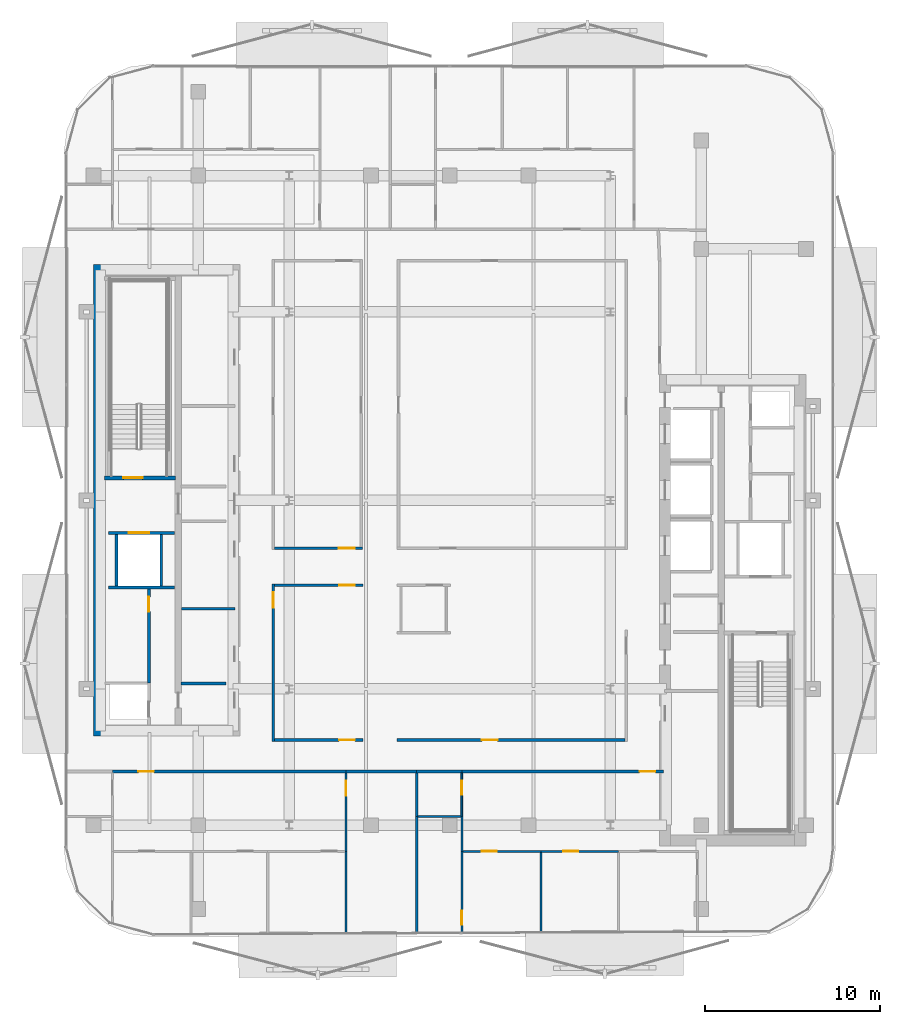
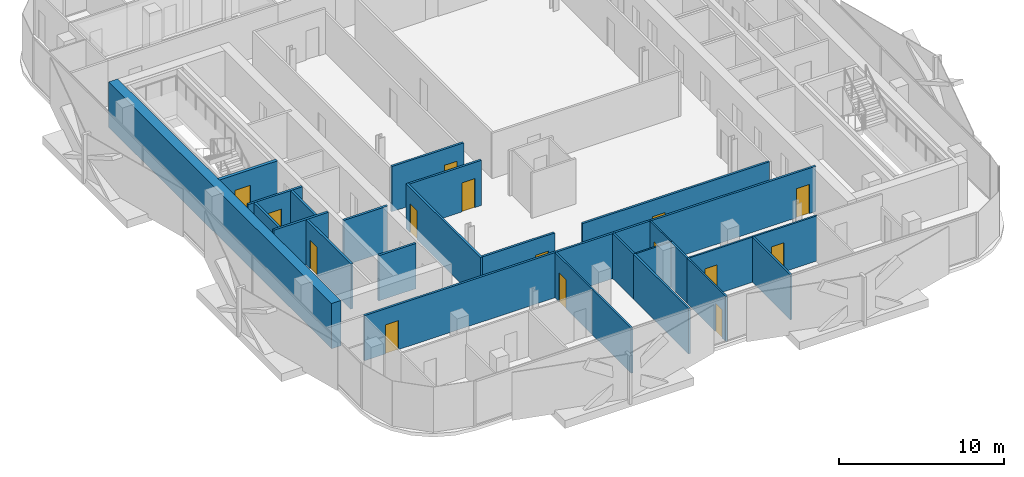
# One storey, part 3 of 15: 29 walls, 15 doors, 15 openings.
"""IFC4 building model written with IfcOpenShell, lengths in metres."""

from ifc_helpers import new_model, si_unit, direction, frame, frame_2d, origin, place, context, subcontext, project, spatial, rectangle, extrude, material, layer, layer_set, type_object, element, fill, save


model = new_model("IFC4")

# Units and contexts
model_context = context("Model", 3, precision=1e-05, world=origin(), true_north=direction((0.0, 1.0)))
body_context = subcontext(model_context, "Body", "Model", "MODEL_VIEW")
ifc_project = project(units=[si_unit("LENGTHUNIT", "METRE"), si_unit("AREAUNIT", "SQUARE_METRE"), si_unit("VOLUMEUNIT", "CUBIC_METRE"), si_unit("PLANEANGLEUNIT", "RADIAN"), si_unit("MASSUNIT", "GRAM", prefix="KILO")], contexts=[model_context])

# Site, building, storey
site_placement = place(None, origin())
site = spatial("IfcSite", under=ifc_project, at=site_placement, CompositionType="ELEMENT")
building_placement = place(site_placement, origin())
building = spatial("IfcBuilding", under=site, at=building_placement, Name="Khairoan Windgate Tower", CompositionType="ELEMENT")
storey_placement = place(building_placement, frame((0.0, 0.0, 226.0)))
storey = spatial("IfcBuildingStorey", under=building, at=storey_placement, Name="L52", CompositionType="ELEMENT", Elevation=226.0)

# Wall
ifc_material_1 = material(Name="Moisture-Resistant Gypsum Partition", Category="gypsum")
ifc_layer_1 = layer(ifc_material_1, 0.10009765625, Name="Moisture-Resistant Gypsum Partition")
ifc_layer_set_1 = layer_set([ifc_layer_1], Name="Moisture-Resistant Gypsum Partition")
wall_type_1 = type_object("IfcWallType", Name="Bathroom Wet-Area Partition Wall", PredefinedType="PARTITIONING", material=ifc_layer_set_1)
wall_1_placement = place(storey_placement, frame((-1.830078125, -18.10009765625, 0.0), z_axis=(0.0, 0.0, 1.0), x_axis=(1.0, 0.0, 0.0)))
element("IfcWall", 1, at=wall_1_placement, inside=storey, type_object=wall_type_1, Name="L52 Interior Partition 077", PredefinedType="PARTITIONING", context=body_context, shape_type="SweptSolid", body=[
    extrude(rectangle(XDim=2.469970703125, YDim=0.10009765625, at=frame_2d((1.23486328125, 0.0))), origin(), (0.0, 0.0, 1.0), 3.340087890625),
])

# Wall, opening, door
wall_2_placement = place(storey_placement, frame((0.68994140625, -18.10009765625, 0.0), z_axis=(0.0, 0.0, 1.0), x_axis=(0.0, 1.0, 0.0)))
wall_2 = element("IfcWall", 2, at=wall_2_placement, inside=storey, type_object=wall_type_1, Name="L52 Interior Partition 078", PredefinedType="PARTITIONING", context=body_context, shape_type="SweptSolid", body=[
    extrude(rectangle(XDim=2.5, YDim=0.10009765625, at=frame_2d((1.25, 0.0))), origin(), (0.0, 0.0, 1.0), 3.340087890625),
])
opening_1_placement = place(wall_2_placement, frame((1.239990234375, 0.0, 0.0)))
opening_1 = element("IfcOpeningElement", 3, at=opening_1_placement, cuts=wall_2, Name="Opening ID-BTH", PredefinedType="OPENING", context=body_context, shape_type="SweptSolid", body=[
    extrude(rectangle(XDim=0.800048828125, YDim=2.10009765625, at=frame_2d((0.39990234375, 1.050048828125))), frame((0.0, 0.06005859375, 0.0), z_axis=(0.0, -1.0, 0.0), x_axis=(1.0, 0.0, 0.0)), (0.0, 0.0, 1.0), 0.1201171875),
])
ifc_material_2 = material(Name="Teak Veneer Timber Leaf", Category="wood")
door_type_1 = type_object("IfcDoorType", Name="Internal Bathroom Door ID-BTH 800x2100", OperationType="NOTDEFINED", PredefinedType="DOOR", material=ifc_material_2)
door_1_placement = place(opening_1_placement, origin())
door_1 = element("IfcDoor", 4, at=door_1_placement, inside=storey, type_object=door_type_1, Name="L52 L52-54-L52-56 Door", OperationType="SINGLE_SWING_LEFT", OverallHeight=2.10009765625, OverallWidth=0.800048828125, PredefinedType="DOOR", context=body_context, shape_type="SweptSolid", body=[
    extrude(rectangle(XDim=0.800048828125, YDim=2.10009765625, at=frame_2d((0.39990234375, 1.050048828125))), frame((0.0, 0.02490234375, 0.0), z_axis=(0.0, -1.0, 0.0), x_axis=(1.0, 0.0, 0.0)), (0.0, 0.0, 1.0), 0.050048828125),
])
fill(opening_1, door_1)

ifc_material_3 = material(Name="Concrete C40/50", Category="concrete")
ifc_layer_2 = layer(ifc_material_3, 0.159912109375, Name="Concrete C40/50")
ifc_layer_set_2 = layer_set([ifc_layer_2], Name="Concrete C40/50")
wall_type_2 = type_object("IfcWallType", Name="Core and Hoistway Enclosure Wall", PredefinedType="STANDARD", material=ifc_layer_set_2)
wall_3_placement = place(storey_placement, frame((-19.550048828125, -1.860107421875, 0.0), z_axis=(0.0, 0.0, 1.0), x_axis=(1.0, 0.0, 0.0)))
wall_3 = element("IfcWall", 5, at=wall_3_placement, inside=storey, type_object=wall_type_2, Name="L52 Core Shaft Wall SW-FL2-L52", PredefinedType="STANDARD", context=body_context, shape_type="SweptSolid", body=[
    extrude(rectangle(XDim=3.800048828125, YDim=0.159912109375, at=frame_2d((1.89990234375, 0.0))), origin(), (0.0, 0.0, 1.0), 3.340087890625),
])
opening_2_placement = place(wall_3_placement, frame((1.179931640625, 0.0, 0.0)))
opening_2 = element("IfcOpeningElement", 6, at=opening_2_placement, cuts=wall_3, Name="Opening LD-FL", PredefinedType="OPENING", context=body_context, shape_type="SweptSolid", body=[
    extrude(rectangle(XDim=1.14990234375, YDim=2.199951171875, at=frame_2d((0.574951171875, 1.10009765625))), frame((0.0, 0.08984375, 0.0), z_axis=(0.0, -1.0, 0.0), x_axis=(1.0, 0.0, 0.0)), (0.0, 0.0, 1.0), 0.179931640625),
])
ifc_material_4 = material(Name="Steel S355", Category="steel")
door_type_2 = type_object("IfcDoorType", Name="Firefighting Lift Sliding Landing Door LD-FL 1150x2200", OperationType="DOUBLE_DOOR_SLIDING", PredefinedType="DOOR", material=ifc_material_4)
door_2_placement = place(opening_2_placement, origin())
door_2 = element("IfcDoor", 7, at=door_2_placement, inside=storey, type_object=door_type_2, Name="L52 Firefighting Lift FL2 Landing Door", OperationType="DOUBLE_DOOR_SLIDING", OverallHeight=2.199951171875, OverallWidth=1.14990234375, PredefinedType="DOOR", context=body_context, shape_type="SweptSolid", body=[
    extrude(rectangle(XDim=1.14990234375, YDim=2.199951171875, at=frame_2d((0.574951171875, 1.10009765625))), frame((0.0, 0.02490234375, 0.0), z_axis=(0.0, -1.0, 0.0), x_axis=(1.0, 0.0, 0.0)), (0.0, 0.0, 1.0), 0.050048828125),
])
fill(opening_2, door_2)

# Walls
wall_4_placement = place(storey_placement, frame((-19.550048828125, -4.97998046875, 0.0), z_axis=(0.0, 0.0, 1.0), x_axis=(1.0, 0.0, 0.0)))
element("IfcWall", 8, at=wall_4_placement, inside=storey, type_object=wall_type_2, Name="L52 Core Shaft Wall SW-FL2B-L52", PredefinedType="STANDARD", context=body_context, shape_type="SweptSolid", body=[
    extrude(rectangle(XDim=3.800048828125, YDim=0.159912109375, at=frame_2d((1.89990234375, 0.0))), origin(), (0.0, 0.0, 1.0), 3.340087890625),
])
for number, where, z_axis, x_axis, name in (
    (9, (-19.080078125, -4.89990234375, 0.0), (0.0, 0.0, 1.0), (0.0, 1.0, 0.0), "L52 Core Shaft Wall SW-FL2W-L52"),
    (10, (-16.52001953125, -4.89990234375, 0.0), (0.0, 0.0, 1.0), (0.0, 1.0, 0.0), "L52 Core Shaft Wall SW-FL2E-L52"),
):
    element("IfcWall", number, at=place(storey_placement, frame(where, z_axis=z_axis, x_axis=x_axis)), inside=storey, type_object=wall_type_2, Name=name, PredefinedType="STANDARD", context=body_context, shape_type="SweptSolid", body=[
        extrude(rectangle(XDim=2.9599609375, YDim=0.159912109375, at=frame_2d((1.47998046875, 0.0))), origin(), (0.0, 0.0, 1.0), 3.340087890625),
    ])
wall_5_placement = place(storey_placement, frame((-15.39990234375, -10.47998046875, 0.0), z_axis=(0.0, 0.0, 1.0), x_axis=(1.0, 0.0, 0.0)))
element("IfcWall", 11, at=wall_5_placement, inside=storey, type_object=wall_type_2, Name="L52 Core Shaft Wall SW-WSV-L52", PredefinedType="STANDARD", context=body_context, shape_type="SweptSolid", body=[
    extrude(rectangle(XDim=2.599853515625, YDim=0.159912109375, at=frame_2d((1.2998046875, 0.0))), origin(), (0.0, 0.0, 1.0), 3.340087890625),
])
ifc_material_5 = material(Name="Acoustic Fire-Rated Gypsum Partition", Category="gypsum")
ifc_layer_3 = layer(ifc_material_5, 0.139892578125, Name="Acoustic Fire-Rated Gypsum Partition")
ifc_layer_set_3 = layer_set([ifc_layer_3], Name="Acoustic Fire-Rated Gypsum Partition")
wall_type_3 = type_object("IfcWallType", Name="Inter-Tenancy Compartment Wall", PredefinedType="PARTITIONING", material=ifc_layer_set_3)
wall_6_placement = place(storey_placement, frame((-1.89990234375, -18.10009765625, 0.0), z_axis=(0.0, 0.0, 1.0), x_axis=(0.0, 1.0, 0.0)))
element("IfcWall", 12, at=wall_6_placement, inside=storey, type_object=wall_type_3, Name="L52 Interior Partition 073", PredefinedType="PARTITIONING", context=body_context, shape_type="SweptSolid", body=[
    extrude(rectangle(XDim=2.5, YDim=0.139892578125, at=frame_2d((1.25, 0.0))), origin(), (0.0, 0.0, 1.0), 3.340087890625),
])
wall_7_placement = place(storey_placement, frame((-1.89990234375, -24.7822265625, 0.0), z_axis=(0.0, 0.0, 1.0), x_axis=(0.0, 1.0, 0.0)))
element("IfcWall", 13, at=wall_7_placement, inside=storey, type_object=wall_type_3, Name="L52 Interior Partition 074", PredefinedType="PARTITIONING", context=body_context, shape_type="SweptSolid", body=[
    extrude(rectangle(XDim=6.68212890625, YDim=0.139892578125, at=frame_2d((3.341064453125, 0.0))), origin(), (0.0, 0.0, 1.0), 3.340087890625),
])

# Wall, opening, door
ifc_material_6 = material(Name="Gypsum Stud Partition", Category="gypsum")
ifc_layer_4 = layer(ifc_material_6, 0.1201171875, Name="Gypsum Stud Partition")
ifc_layer_set_4 = layer_set([ifc_layer_4], Name="Gypsum Stud Partition")
wall_type_4 = type_object("IfcWallType", Name="Internal Room Partition Wall", PredefinedType="PARTITIONING", material=ifc_layer_set_4)
wall_8_placement = place(storey_placement, frame((-5.93994140625, -20.10009765625, 0.0), z_axis=(0.0, 0.0, 1.0), x_axis=(0.0, 1.0, 0.0)))
wall_8 = element("IfcWall", 14, at=wall_8_placement, inside=storey, type_object=wall_type_4, Name="L52 Interior Partition 068", PredefinedType="PARTITIONING", context=body_context, shape_type="SweptSolid", body=[
    extrude(rectangle(XDim=4.5, YDim=0.1201171875, at=frame_2d((2.25, 0.0))), origin(), (0.0, 0.0, 1.0), 3.340087890625),
])
opening_3_placement = place(wall_8_placement, frame((3.179931640625, 0.0, 0.0)))
opening_3 = element("IfcOpeningElement", 15, at=opening_3_placement, cuts=wall_8, Name="Opening ID-RM", PredefinedType="OPENING", context=body_context, shape_type="SweptSolid", body=[
    extrude(rectangle(XDim=0.860107421875, YDim=2.14990234375, at=frame_2d((0.43017578125, 1.074951171875))), frame((0.0, 0.070068359375, 0.0), z_axis=(0.0, -1.0, 0.0), x_axis=(1.0, 0.0, 0.0)), (0.0, 0.0, 1.0), 0.14013671875),
])
ifc_material_7 = material(Name="Teak Veneer Timber Leaf", Category="wood")
door_type_3 = type_object("IfcDoorType", Name="Internal Bedroom and Office Door ID-RM 860x2150", OperationType="NOTDEFINED", PredefinedType="DOOR", material=ifc_material_7)
door_3_placement = place(opening_3_placement, origin())
door_3 = element("IfcDoor", 16, at=door_3_placement, inside=storey, type_object=door_type_3, Name="L52 L52-49-L52-50 Door", OperationType="SINGLE_SWING_LEFT", OverallHeight=2.14990234375, OverallWidth=0.860107421875, PredefinedType="DOOR", context=body_context, shape_type="SweptSolid", body=[
    extrude(rectangle(XDim=0.860107421875, YDim=2.14990234375, at=frame_2d((0.43017578125, 1.074951171875))), frame((0.0, 0.02490234375, 0.0), z_axis=(0.0, -1.0, 0.0), x_axis=(1.0, 0.0, 0.0)), (0.0, 0.0, 1.0), 0.050048828125),
])
fill(opening_3, door_3)

# Walls
wall_9_placement = place(storey_placement, frame((-5.93994140625, -24.8017578125, 0.0), z_axis=(0.0, 0.0, 1.0), x_axis=(0.0, 1.0, 0.0)))
element("IfcWall", 17, at=wall_9_placement, inside=storey, type_object=wall_type_4, Name="L52 Interior Partition 072", PredefinedType="PARTITIONING", context=body_context, shape_type="SweptSolid", body=[
    extrude(rectangle(XDim=4.70166015625, YDim=0.1201171875, at=frame_2d((2.350830078125, 0.0))), origin(), (0.0, 0.0, 1.0), 3.340087890625),
])
wall_10_placement = place(storey_placement, frame((0.68994140625, -20.10009765625, 0.0), z_axis=(0.0, 0.0, 1.0), x_axis=(0.0, 1.0, 0.0)))
element("IfcWall", 18, at=wall_10_placement, inside=storey, type_object=wall_type_4, Name="L52 Interior Partition 079", PredefinedType="PARTITIONING", context=body_context, shape_type="SweptSolid", body=[
    extrude(rectangle(XDim=2.0, YDim=0.1201171875, at=frame_2d((1.0, 0.0))), origin(), (0.0, 0.0, 1.0), 3.340087890625),
])

# Wall, opening, door
wall_11_placement = place(storey_placement, frame((0.68994140625, -24.769775390625, 0.0), z_axis=(0.0, 0.0, 1.0), x_axis=(0.0, 1.0, 0.0)))
wall_11 = element("IfcWall", 19, at=wall_11_placement, inside=storey, type_object=wall_type_4, Name="L52 Interior Partition 080", PredefinedType="PARTITIONING", context=body_context, shape_type="SweptSolid", body=[
    extrude(rectangle(XDim=4.669677734375, YDim=0.1201171875, at=frame_2d((2.3349609375, 0.0))), origin(), (0.0, 0.0, 1.0), 3.340087890625),
])
opening_4_placement = place(wall_11_placement, frame((0.4599609375, 0.0, 0.0)))
opening_4 = element("IfcOpeningElement", 20, at=opening_4_placement, cuts=wall_11, Name="Opening ID-BTH", PredefinedType="OPENING", context=body_context, shape_type="SweptSolid", body=[
    extrude(rectangle(XDim=0.800048828125, YDim=2.10009765625, at=frame_2d((0.39990234375, 1.050048828125))), frame((0.0, 0.070068359375, 0.0), z_axis=(0.0, -1.0, 0.0), x_axis=(1.0, 0.0, 0.0)), (0.0, 0.0, 1.0), 0.14013671875),
])
door_4_placement = place(opening_4_placement, origin())
door_4 = element("IfcDoor", 21, at=door_4_placement, inside=storey, type_object=door_type_1, Name="L52 L52-55-L52-58 Door", OperationType="SINGLE_SWING_LEFT", OverallHeight=2.10009765625, OverallWidth=0.800048828125, PredefinedType="DOOR", context=body_context, shape_type="SweptSolid", body=[
    extrude(rectangle(XDim=0.800048828125, YDim=2.10009765625, at=frame_2d((0.39990234375, 1.050048828125))), frame((0.0, 0.02490234375, 0.0), z_axis=(0.0, -1.0, 0.0), x_axis=(1.0, 0.0, 0.0)), (0.0, 0.0, 1.0), 0.050048828125),
])
fill(opening_4, door_4)

wall_12_placement = place(storey_placement, frame((0.75, -20.10009765625, 0.0), z_axis=(0.0, 0.0, 1.0), x_axis=(1.0, 0.0, 0.0)))
wall_12 = element("IfcWall", 22, at=wall_12_placement, inside=storey, type_object=wall_type_4, Name="L52 Interior Partition 081", PredefinedType="PARTITIONING", context=body_context, shape_type="SweptSolid", body=[
    extrude(rectangle(XDim=4.467041015625, YDim=0.1201171875, at=frame_2d((2.2333984375, 0.0))), origin(), (0.0, 0.0, 1.0), 3.340087890625),
])
opening_5_placement = place(wall_12_placement, frame((1.080078125, 0.0, 0.0)))
opening_5 = element("IfcOpeningElement", 23, at=opening_5_placement, cuts=wall_12, Name="Opening ID-RM", PredefinedType="OPENING", context=body_context, shape_type="SweptSolid", body=[
    extrude(rectangle(XDim=0.860107421875, YDim=2.14990234375, at=frame_2d((0.43017578125, 1.074951171875))), frame((0.0, 0.070068359375, 0.0), z_axis=(0.0, -1.0, 0.0), x_axis=(1.0, 0.0, 0.0)), (0.0, 0.0, 1.0), 0.14013671875),
])
door_5_placement = place(opening_5_placement, origin())
door_5 = element("IfcDoor", 24, at=door_5_placement, inside=storey, type_object=door_type_3, Name="L52 L52-56-L52-58 Door", OperationType="SINGLE_SWING_LEFT", OverallHeight=2.14990234375, OverallWidth=0.860107421875, PredefinedType="DOOR", context=body_context, shape_type="SweptSolid", body=[
    extrude(rectangle(XDim=0.860107421875, YDim=2.14990234375, at=frame_2d((0.43017578125, 1.074951171875))), frame((0.0, 0.02490234375, 0.0), z_axis=(0.0, -1.0, 0.0), x_axis=(1.0, 0.0, 0.0)), (0.0, 0.0, 1.0), 0.050048828125),
])
fill(opening_5, door_5)

wall_13_placement = place(storey_placement, frame((5.217041015625, -20.10009765625, 0.0), z_axis=(0.0, 0.0, 1.0), x_axis=(1.0, 0.0, 0.0)))
wall_13 = element("IfcWall", 25, at=wall_13_placement, inside=storey, type_object=wall_type_4, Name="L52 Interior Partition 082", PredefinedType="PARTITIONING", context=body_context, shape_type="SweptSolid", body=[
    extrude(rectangle(XDim=4.446044921875, YDim=0.1201171875, at=frame_2d((2.22314453125, 0.0))), origin(), (0.0, 0.0, 1.0), 3.340087890625),
])
opening_6_placement = place(wall_13_placement, frame((1.2802734375, 0.0, 0.0)))
opening_6 = element("IfcOpeningElement", 26, at=opening_6_placement, cuts=wall_13, Name="Opening ID-RM", PredefinedType="OPENING", context=body_context, shape_type="SweptSolid", body=[
    extrude(rectangle(XDim=0.860107421875, YDim=2.14990234375, at=frame_2d((0.43017578125, 1.074951171875))), frame((0.0, 0.070068359375, 0.0), z_axis=(0.0, -1.0, 0.0), x_axis=(1.0, 0.0, 0.0)), (0.0, 0.0, 1.0), 0.14013671875),
])
door_6_placement = place(opening_6_placement, origin())
door_6 = element("IfcDoor", 27, at=door_6_placement, inside=storey, type_object=door_type_3, Name="L52 L52-56-L52-59 Door", OperationType="SINGLE_SWING_RIGHT", OverallHeight=2.14990234375, OverallWidth=0.860107421875, PredefinedType="DOOR", context=body_context, shape_type="SweptSolid", body=[
    extrude(rectangle(XDim=0.860107421875, YDim=2.14990234375, at=frame_2d((0.43017578125, 1.074951171875))), frame((0.0, 0.02490234375, 0.0), z_axis=(0.0, -1.0, 0.0), x_axis=(1.0, 0.0, 0.0)), (0.0, 0.0, 1.0), 0.050048828125),
])
fill(opening_6, door_6)

# Wall
wall_14_placement = place(storey_placement, frame((5.217041015625, -24.747802734375, 0.0), z_axis=(0.0, 0.0, 1.0), x_axis=(0.0, 1.0, 0.0)))
element("IfcWall", 28, at=wall_14_placement, inside=storey, type_object=wall_type_4, Name="L52 Interior Partition 085", PredefinedType="PARTITIONING", context=body_context, shape_type="SweptSolid", body=[
    extrude(rectangle(XDim=4.587890625, YDim=0.1201171875, at=frame_2d((2.2939453125, 0.0))), origin(), (0.0, 0.0, 1.0), 3.340087890625),
])

# Wall, opening, door
ifc_material_8 = material(Name="Concrete C40/50", Category="concrete")
ifc_layer_5 = layer(ifc_material_8, 0.159912109375, Name="Concrete C40/50")
ifc_layer_set_5 = layer_set([ifc_layer_5], Name="Concrete C40/50")
wall_type_5 = type_object("IfcWallType", Name="Plant and Refuge Compartment Wall", PredefinedType="PARTITIONING", material=ifc_layer_set_5)
wall_15_placement = place(storey_placement, frame((-17.22998046875, -10.469970703125, 0.0), z_axis=(0.0, 0.0, 1.0), x_axis=(0.0, 1.0, 0.0)))
wall_15 = element("IfcWall", 29, at=wall_15_placement, inside=storey, type_object=wall_type_5, Name="L52 Interior Partition 002", PredefinedType="PARTITIONING", context=body_context, shape_type="SweptSolid", body=[
    extrude(rectangle(XDim=5.409912109375, YDim=0.159912109375, at=frame_2d((2.705078125, 0.0))), origin(), (0.0, 0.0, 1.0), 3.340087890625),
])
opening_7_placement = place(wall_15_placement, frame((4.10009765625, 0.0, 0.0)))
opening_7 = element("IfcOpeningElement", 30, at=opening_7_placement, cuts=wall_15, Name="Opening FD-SRV", PredefinedType="OPENING", context=body_context, shape_type="SweptSolid", body=[
    extrude(rectangle(XDim=0.85009765625, YDim=2.10009765625, at=frame_2d((0.425048828125, 1.050048828125))), frame((0.0, 0.08984375, 0.0), z_axis=(0.0, -1.0, 0.0), x_axis=(1.0, 0.0, 0.0)), (0.0, 0.0, 1.0), 0.179931640625),
])
ifc_material_9 = material(Name="Steel S355", Category="steel")
door_type_4 = type_object("IfcDoorType", Name="Core Service and Riser Fire Door FD-SRV 850x2100", OperationType="NOTDEFINED", PredefinedType="DOOR", material=ifc_material_9)
door_7_placement = place(opening_7_placement, origin())
door_7 = element("IfcDoor", 31, at=door_7_placement, inside=storey, type_object=door_type_4, Name="L52 L52-04-L52-06 Door", OperationType="SINGLE_SWING_LEFT", OverallHeight=2.10009765625, OverallWidth=0.85009765625, PredefinedType="DOOR", context=body_context, shape_type="SweptSolid", body=[
    extrude(rectangle(XDim=0.85009765625, YDim=2.10009765625, at=frame_2d((0.425048828125, 1.050048828125))), frame((0.0, 0.02490234375, 0.0), z_axis=(0.0, -1.0, 0.0), x_axis=(1.0, 0.0, 0.0)), (0.0, 0.0, 1.0), 0.050048828125),
])
fill(opening_7, door_7)

# Wall
wall_16_placement = place(storey_placement, frame((-15.375, -6.199951171875, 0.0), z_axis=(0.0, 0.0, 1.0), x_axis=(1.0, 0.0, 0.0)))
element("IfcWall", 32, at=wall_16_placement, inside=storey, type_object=wall_type_5, Name="L52 Interior Partition 005", PredefinedType="PARTITIONING", context=body_context, shape_type="SweptSolid", body=[
    extrude(rectangle(XDim=3.06494140625, YDim=0.159912109375, at=frame_2d((1.532470703125, 0.0))), origin(), (0.0, 0.0, 1.0), 3.340087890625),
])

# Wall, opening, door
ifc_material_10 = material(Name="Acoustic Fire-Rated Gypsum Partition", Category="gypsum")
ifc_layer_6 = layer(ifc_material_10, 0.14990234375, Name="Acoustic Fire-Rated Gypsum Partition")
ifc_layer_set_6 = layer_set([ifc_layer_6], Name="Acoustic Fire-Rated Gypsum Partition")
wall_type_6 = type_object("IfcWallType", Name="Rated Corridor Partition Wall", PredefinedType="PARTITIONING", material=ifc_layer_set_6)
wall_17_placement = place(storey_placement, frame((-10.10009765625, -13.794921875, 0.0), z_axis=(0.0, 0.0, 1.0), x_axis=(0.0, 1.0, 0.0)))
wall_17 = element("IfcWall", 33, at=wall_17_placement, inside=storey, type_object=wall_type_6, Name="L52 Interior Partition 013", PredefinedType="PARTITIONING", context=body_context, shape_type="SweptSolid", body=[
    extrude(rectangle(XDim=9.0048828125, YDim=0.14990234375, at=frame_2d((4.50244140625, 0.0))), origin(), (0.0, 0.0, 1.0), 3.340087890625),
])
opening_8_placement = place(wall_17_placement, frame((7.64501953125, 0.0, 0.0)))
opening_8 = element("IfcOpeningElement", 34, at=opening_8_placement, cuts=wall_17, Name="Opening FD-ENT", PredefinedType="OPENING", context=body_context, shape_type="SweptSolid", body=[
    extrude(rectangle(XDim=0.89990234375, YDim=2.14990234375, at=frame_2d((0.449951171875, 1.074951171875))), frame((0.0, 0.0849609375, 0.0), z_axis=(0.0, -1.0, 0.0), x_axis=(1.0, 0.0, 0.0)), (0.0, 0.0, 1.0), 0.169921875),
])
ifc_material_11 = material(Name="Timber Fire-Rated Core", Category="wood")
door_type_5 = type_object("IfcDoorType", Name="Unit and Office Fire Entrance Door FD-ENT 900x2150", OperationType="NOTDEFINED", PredefinedType="DOOR", material=ifc_material_11)
door_8_placement = place(opening_8_placement, origin())
door_8 = element("IfcDoor", 35, at=door_8_placement, inside=storey, type_object=door_type_5, Name="L52 L52-27-L52-63 Door", OperationType="SINGLE_SWING_RIGHT", OverallHeight=2.14990234375, OverallWidth=0.89990234375, PredefinedType="DOOR", context=body_context, shape_type="SweptSolid", body=[
    extrude(rectangle(XDim=0.89990234375, YDim=2.14990234375, at=frame_2d((0.449951171875, 1.074951171875))), frame((0.0, 0.02490234375, 0.0), z_axis=(0.0, -1.0, 0.0), x_axis=(1.0, 0.0, 0.0)), (0.0, 0.0, 1.0), 0.050048828125),
])
fill(opening_8, door_8)

wall_18_placement = place(storey_placement, frame((-10.02490234375, -2.735107421875, 0.0), z_axis=(0.0, 0.0, 1.0), x_axis=(1.0, 0.0, 0.0)))
wall_18 = element("IfcWall", 36, at=wall_18_placement, inside=storey, type_object=wall_type_6, Name="L52 Interior Partition 017", PredefinedType="PARTITIONING", context=body_context, shape_type="SweptSolid", body=[
    extrude(rectangle(XDim=5.034912109375, YDim=0.14990234375, at=frame_2d((2.517578125, 0.0))), origin(), (0.0, 0.0, 1.0), 3.340087890625),
])
opening_9_placement = place(wall_18_placement, frame((3.675048828125, 0.0, 0.0)))
opening_9 = element("IfcOpeningElement", 37, at=opening_9_placement, cuts=wall_18, Name="Opening FD-ENT", PredefinedType="OPENING", context=body_context, shape_type="SweptSolid", body=[
    extrude(rectangle(XDim=0.89990234375, YDim=2.14990234375, at=frame_2d((0.449951171875, 1.074951171875))), frame((0.0, 0.0849609375, 0.0), z_axis=(0.0, -1.0, 0.0), x_axis=(1.0, 0.0, 0.0)), (0.0, 0.0, 1.0), 0.169921875),
])
door_9_placement = place(opening_9_placement, origin())
door_9 = element("IfcDoor", 38, at=door_9_placement, inside=storey, type_object=door_type_5, Name="L52 L52-29-L52-62 Door", OperationType="SINGLE_SWING_RIGHT", OverallHeight=2.14990234375, OverallWidth=0.89990234375, PredefinedType="DOOR", context=body_context, shape_type="SweptSolid", body=[
    extrude(rectangle(XDim=0.89990234375, YDim=2.14990234375, at=frame_2d((0.449951171875, 1.074951171875))), frame((0.0, 0.02490234375, 0.0), z_axis=(0.0, -1.0, 0.0), x_axis=(1.0, 0.0, 0.0)), (0.0, 0.0, 1.0), 0.050048828125),
])
fill(opening_9, door_9)

wall_19_placement = place(storey_placement, frame((-10.02490234375, -4.864990234375, 0.0), z_axis=(0.0, 0.0, 1.0), x_axis=(1.0, 0.0, 0.0)))
wall_19 = element("IfcWall", 39, at=wall_19_placement, inside=storey, type_object=wall_type_6, Name="L52 Interior Partition 018", PredefinedType="PARTITIONING", context=body_context, shape_type="SweptSolid", body=[
    extrude(rectangle(XDim=5.054931640625, YDim=0.14990234375, at=frame_2d((2.52734375, 0.0))), origin(), (0.0, 0.0, 1.0), 3.340087890625),
])
opening_10_placement = place(wall_19_placement, frame((3.695068359375, 0.0, 0.0)))
opening_10 = element("IfcOpeningElement", 40, at=opening_10_placement, cuts=wall_19, Name="Opening FD-ENT", PredefinedType="OPENING", context=body_context, shape_type="SweptSolid", body=[
    extrude(rectangle(XDim=0.89990234375, YDim=2.14990234375, at=frame_2d((0.449951171875, 1.074951171875))), frame((0.0, 0.0849609375, 0.0), z_axis=(0.0, -1.0, 0.0), x_axis=(1.0, 0.0, 0.0)), (0.0, 0.0, 1.0), 0.169921875),
])
door_10_placement = place(opening_10_placement, origin())
door_10 = element("IfcDoor", 41, at=door_10_placement, inside=storey, type_object=door_type_5, Name="L52 L52-29-L52-63 Door", OperationType="SINGLE_SWING_LEFT", OverallHeight=2.14990234375, OverallWidth=0.89990234375, PredefinedType="DOOR", context=body_context, shape_type="SweptSolid", body=[
    extrude(rectangle(XDim=0.89990234375, YDim=2.14990234375, at=frame_2d((0.449951171875, 1.074951171875))), frame((0.0, 0.02490234375, 0.0), z_axis=(0.0, -1.0, 0.0), x_axis=(1.0, 0.0, 0.0)), (0.0, 0.0, 1.0), 0.050048828125),
])
fill(opening_10, door_10)

wall_20_placement = place(storey_placement, frame((-19.31005859375, -15.52490234375, 0.0), z_axis=(0.0, 0.0, 1.0), x_axis=(1.0, 0.0, 0.0)))
wall_20 = element("IfcWall", 42, at=wall_20_placement, inside=storey, type_object=wall_type_6, Name="L52 Interior Partition 033", PredefinedType="PARTITIONING", context=body_context, shape_type="SweptSolid", body=[
    extrude(rectangle(XDim=13.3701171875, YDim=0.14990234375, at=frame_2d((6.68505859375, 0.0))), origin(), (0.0, 0.0, 1.0), 3.340087890625),
])
opening_11_placement = place(wall_20_placement, frame((1.47314453125, 0.0, 0.0)))
opening_11 = element("IfcOpeningElement", 43, at=opening_11_placement, cuts=wall_20, Name="Opening FD-ENT", PredefinedType="OPENING", context=body_context, shape_type="SweptSolid", body=[
    extrude(rectangle(XDim=0.89990234375, YDim=2.14990234375, at=frame_2d((0.449951171875, 1.074951171875))), frame((0.0, 0.0849609375, 0.0), z_axis=(0.0, -1.0, 0.0), x_axis=(1.0, 0.0, 0.0)), (0.0, 0.0, 1.0), 0.169921875),
])
door_11_placement = place(opening_11_placement, origin())
door_11 = element("IfcDoor", 44, at=door_11_placement, inside=storey, type_object=door_type_5, Name="L52 L52-32-L52-49 Door", OperationType="SINGLE_SWING_LEFT", OverallHeight=2.14990234375, OverallWidth=0.89990234375, PredefinedType="DOOR", context=body_context, shape_type="SweptSolid", body=[
    extrude(rectangle(XDim=0.89990234375, YDim=2.14990234375, at=frame_2d((0.449951171875, 1.074951171875))), frame((0.0, 0.02490234375, 0.0), z_axis=(0.0, -1.0, 0.0), x_axis=(1.0, 0.0, 0.0)), (0.0, 0.0, 1.0), 0.050048828125),
])
fill(opening_11, door_11)

# Walls
wall_21_placement = place(storey_placement, frame((-5.93994140625, -15.52490234375, 0.0), z_axis=(0.0, 0.0, 1.0), x_axis=(1.0, 0.0, 0.0)))
element("IfcWall", 45, at=wall_21_placement, inside=storey, type_object=wall_type_6, Name="L52 Interior Partition 034", PredefinedType="PARTITIONING", context=body_context, shape_type="SweptSolid", body=[
    extrude(rectangle(XDim=4.0400390625, YDim=0.14990234375, at=frame_2d((2.02001953125, 0.0))), origin(), (0.0, 0.0, 1.0), 3.340087890625),
])
wall_22_placement = place(storey_placement, frame((-1.89990234375, -15.52490234375, 0.0), z_axis=(0.0, 0.0, 1.0), x_axis=(1.0, 0.0, 0.0)))
element("IfcWall", 46, at=wall_22_placement, inside=storey, type_object=wall_type_6, Name="L52 Interior Partition 035", PredefinedType="PARTITIONING", context=body_context, shape_type="SweptSolid", body=[
    extrude(rectangle(XDim=2.58984375, YDim=0.14990234375, at=frame_2d((1.294921875, 0.0))), origin(), (0.0, 0.0, 1.0), 3.340087890625),
])

# Wall, opening, door
wall_23_placement = place(storey_placement, frame((0.68994140625, -15.52490234375, 0.0), z_axis=(0.0, 0.0, 1.0), x_axis=(1.0, 0.0, 0.0)))
wall_23 = element("IfcWall", 47, at=wall_23_placement, inside=storey, type_object=wall_type_6, Name="L52 Interior Partition 036", PredefinedType="PARTITIONING", context=body_context, shape_type="SweptSolid", body=[
    extrude(rectangle(XDim=11.550048828125, YDim=0.14990234375, at=frame_2d((5.77490234375, 0.0))), origin(), (0.0, 0.0, 1.0), 3.340087890625),
])
opening_12_placement = place(wall_23_placement, frame((10.18994140625, 0.0, 0.0)))
opening_12 = element("IfcOpeningElement", 48, at=opening_12_placement, cuts=wall_23, Name="Opening FD-ENT", PredefinedType="OPENING", context=body_context, shape_type="SweptSolid", body=[
    extrude(rectangle(XDim=0.89990234375, YDim=2.14990234375, at=frame_2d((0.449951171875, 1.074951171875))), frame((0.0, 0.0849609375, 0.0), z_axis=(0.0, -1.0, 0.0), x_axis=(1.0, 0.0, 0.0)), (0.0, 0.0, 1.0), 0.169921875),
])
door_12_placement = place(opening_12_placement, origin())
door_12 = element("IfcDoor", 49, at=door_12_placement, inside=storey, type_object=door_type_5, Name="L52 L52-32-L52-56 Door", OperationType="SINGLE_SWING_RIGHT", OverallHeight=2.14990234375, OverallWidth=0.89990234375, PredefinedType="DOOR", context=body_context, shape_type="SweptSolid", body=[
    extrude(rectangle(XDim=0.89990234375, YDim=2.14990234375, at=frame_2d((0.449951171875, 1.074951171875))), frame((0.0, 0.02490234375, 0.0), z_axis=(0.0, -1.0, 0.0), x_axis=(1.0, 0.0, 0.0)), (0.0, 0.0, 1.0), 0.050048828125),
])
fill(opening_12, door_12)

wall_24_placement = place(storey_placement, frame((-10.02490234375, -13.719970703125, 0.0), z_axis=(0.0, 0.0, 1.0), x_axis=(1.0, 0.0, 0.0)))
wall_24 = element("IfcWall", 50, at=wall_24_placement, inside=storey, type_object=wall_type_6, Name="L52 Interior Partition 037", PredefinedType="PARTITIONING", context=body_context, shape_type="SweptSolid", body=[
    extrude(rectangle(XDim=5.054931640625, YDim=0.14990234375, at=frame_2d((2.52734375, 0.0))), origin(), (0.0, 0.0, 1.0), 3.340087890625),
])
opening_13_placement = place(wall_24_placement, frame((3.695068359375, 0.0, 0.0)))
opening_13 = element("IfcOpeningElement", 51, at=opening_13_placement, cuts=wall_24, Name="Opening FD-ENT", PredefinedType="OPENING", context=body_context, shape_type="SweptSolid", body=[
    extrude(rectangle(XDim=0.89990234375, YDim=2.14990234375, at=frame_2d((0.449951171875, 1.074951171875))), frame((0.0, 0.0849609375, 0.0), z_axis=(0.0, -1.0, 0.0), x_axis=(1.0, 0.0, 0.0)), (0.0, 0.0, 1.0), 0.169921875),
])
door_13_placement = place(opening_13_placement, origin())
door_13 = element("IfcDoor", 52, at=door_13_placement, inside=storey, type_object=door_type_5, Name="L52 L52-32-L52-63 Door", OperationType="SINGLE_SWING_LEFT", OverallHeight=2.14990234375, OverallWidth=0.89990234375, PredefinedType="DOOR", context=body_context, shape_type="SweptSolid", body=[
    extrude(rectangle(XDim=0.89990234375, YDim=2.14990234375, at=frame_2d((0.449951171875, 1.074951171875))), frame((0.0, 0.02490234375, 0.0), z_axis=(0.0, -1.0, 0.0), x_axis=(1.0, 0.0, 0.0)), (0.0, 0.0, 1.0), 0.050048828125),
])
fill(opening_13, door_13)

wall_25_placement = place(storey_placement, frame((-3.030029296875, -13.719970703125, 0.0), z_axis=(0.0, 0.0, 1.0), x_axis=(1.0, 0.0, 0.0)))
wall_25 = element("IfcWall", 53, at=wall_25_placement, inside=storey, type_object=wall_type_6, Name="L52 Interior Partition 038", PredefinedType="PARTITIONING", context=body_context, shape_type="SweptSolid", body=[
    extrude(rectangle(XDim=13.054931640625, YDim=0.14990234375, at=frame_2d((6.52734375, 0.0))), origin(), (0.0, 0.0, 1.0), 3.340087890625),
])
opening_14_placement = place(wall_25_placement, frame((4.873779296875, 0.0, 0.0)))
opening_14 = element("IfcOpeningElement", 54, at=opening_14_placement, cuts=wall_25, Name="Opening FD-ENT", PredefinedType="OPENING", context=body_context, shape_type="SweptSolid", body=[
    extrude(rectangle(XDim=0.89990234375, YDim=2.14990234375, at=frame_2d((0.449951171875, 1.074951171875))), frame((0.0, 0.0849609375, 0.0), z_axis=(0.0, -1.0, 0.0), x_axis=(1.0, 0.0, 0.0)), (0.0, 0.0, 1.0), 0.169921875),
])
door_14_placement = place(opening_14_placement, origin())
door_14 = element("IfcDoor", 55, at=door_14_placement, inside=storey, type_object=door_type_5, Name="L52 L52-32-L52-66 Door", OperationType="SINGLE_SWING_RIGHT", OverallHeight=2.14990234375, OverallWidth=0.89990234375, PredefinedType="DOOR", context=body_context, shape_type="SweptSolid", body=[
    extrude(rectangle(XDim=0.89990234375, YDim=2.14990234375, at=frame_2d((0.449951171875, 1.074951171875))), frame((0.0, 0.02490234375, 0.0), z_axis=(0.0, -1.0, 0.0), x_axis=(1.0, 0.0, 0.0)), (0.0, 0.0, 1.0), 0.050048828125),
])
fill(opening_14, door_14)

# Wall
ifc_material_12 = material(Name="Concrete C60/75", Category="concrete")
ifc_layer_7 = layer(ifc_material_12, 0.64990234375, Name="Concrete C60/75")
ifc_layer_set_7 = layer_set([ifc_layer_7], Name="Concrete C60/75")
wall_type_7 = type_object("IfcWallType", Name="Shear Wall CW-W2 650mm", PredefinedType="SHEAR", material=ifc_layer_set_7)
wall_26_placement = place(storey_placement, frame((-20.074951171875, -13.5, 0.0), z_axis=(0.0, 0.0, 1.0), x_axis=(0.0, 1.0, 0.0)))
element("IfcWall", 56, at=wall_26_placement, inside=storey, type_object=wall_type_7, Name="W Core West Shear Wall L52", PredefinedType="SHEAR", context=body_context, shape_type="SweptSolid", body=[
    extrude(rectangle(XDim=27.0, YDim=0.64990234375, at=frame_2d((13.5, 0.0))), origin(), (0.0, 0.0, 1.0), 3.340087890625),
])

# Wall, opening, door
ifc_material_13 = material(Name="Concrete C50/60", Category="concrete")
ifc_layer_8 = layer(ifc_material_13, 0.219970703125, Name="Concrete C50/60")
ifc_layer_set_8 = layer_set([ifc_layer_8], Name="Concrete C50/60")
wall_type_8 = type_object("IfcWallType", Name="Shear Wall SW-ST 220mm", PredefinedType="SHEAR", material=ifc_layer_set_8)
wall_27_placement = place(storey_placement, frame((-19.77001953125, 1.2900390625, 0.0), z_axis=(0.0, 0.0, 1.0), x_axis=(1.0, 0.0, 0.0)))
wall_27 = element("IfcWall", 57, at=wall_27_placement, inside=storey, type_object=wall_type_8, Name="L52 Stair ST2 South Bearing Wall", PredefinedType="SHEAR", context=body_context, shape_type="SweptSolid", body=[
    extrude(rectangle(XDim=4.06494140625, YDim=0.219970703125, at=frame_2d((2.032470703125, 0.0))), origin(), (0.0, 0.0, 1.0), 3.340087890625),
])
opening_15_placement = place(wall_27_placement, frame((1.080078125, 0.0, 0.0)))
opening_15 = element("IfcOpeningElement", 58, at=opening_15_placement, cuts=wall_27, Name="Opening FD-ST", PredefinedType="OPENING", context=body_context, shape_type="SweptSolid", body=[
    extrude(rectangle(XDim=1.10009765625, YDim=2.199951171875, at=frame_2d((0.550048828125, 1.10009765625))), frame((0.0, 0.119873046875, 0.0), z_axis=(0.0, -1.0, 0.0), x_axis=(1.0, 0.0, 0.0)), (0.0, 0.0, 1.0), 0.239990234375),
])
ifc_material_14 = material(Name="Steel S355", Category="steel")
door_type_6 = type_object("IfcDoorType", Name="Smokeproof Stair Fire Door FD-ST 1100x2200", OperationType="NOTDEFINED", PredefinedType="DOOR", material=ifc_material_14)
door_15_placement = place(opening_15_placement, origin())
door_15 = element("IfcDoor", 59, at=door_15_placement, inside=storey, type_object=door_type_6, Name="L52 Stair ST2 Fire Door", OperationType="SINGLE_SWING_LEFT", OverallHeight=2.199951171875, OverallWidth=1.10009765625, PredefinedType="DOOR", context=body_context, shape_type="SweptSolid", body=[
    extrude(rectangle(XDim=1.10009765625, YDim=2.199951171875, at=frame_2d((0.550048828125, 1.10009765625))), frame((0.0, 0.02490234375, 0.0), z_axis=(0.0, -1.0, 0.0), x_axis=(1.0, 0.0, 0.0)), (0.0, 0.0, 1.0), 0.050048828125),
])
fill(opening_15, door_15)

save(model, "model.ifc")
